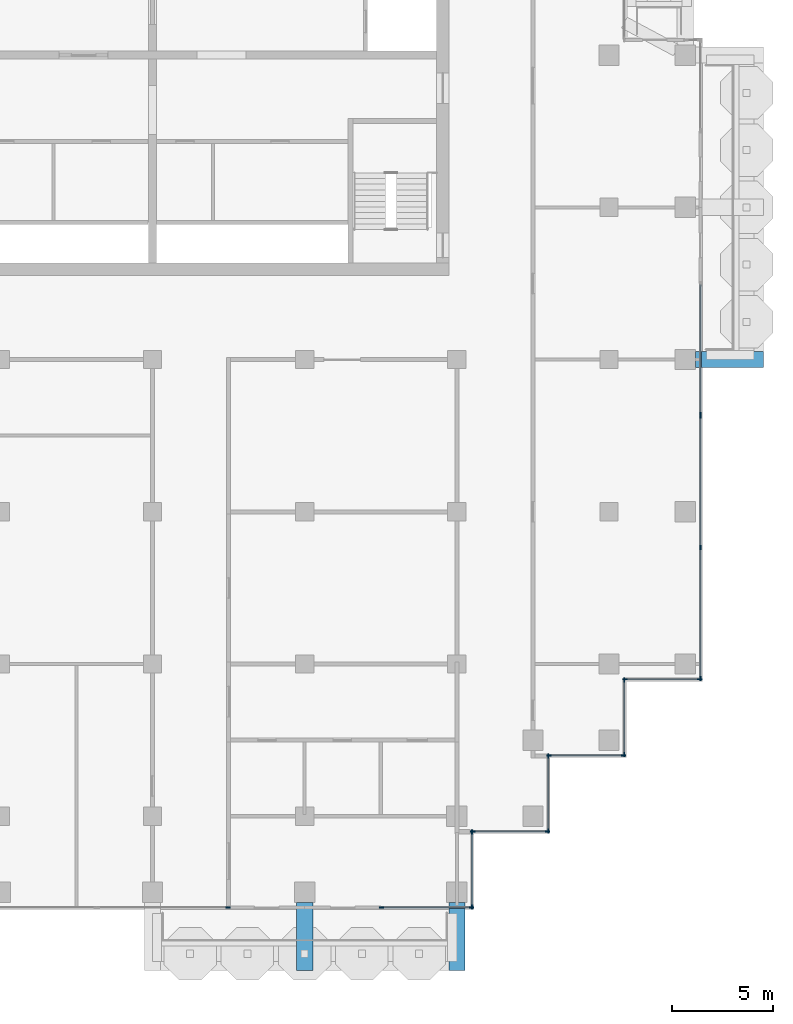
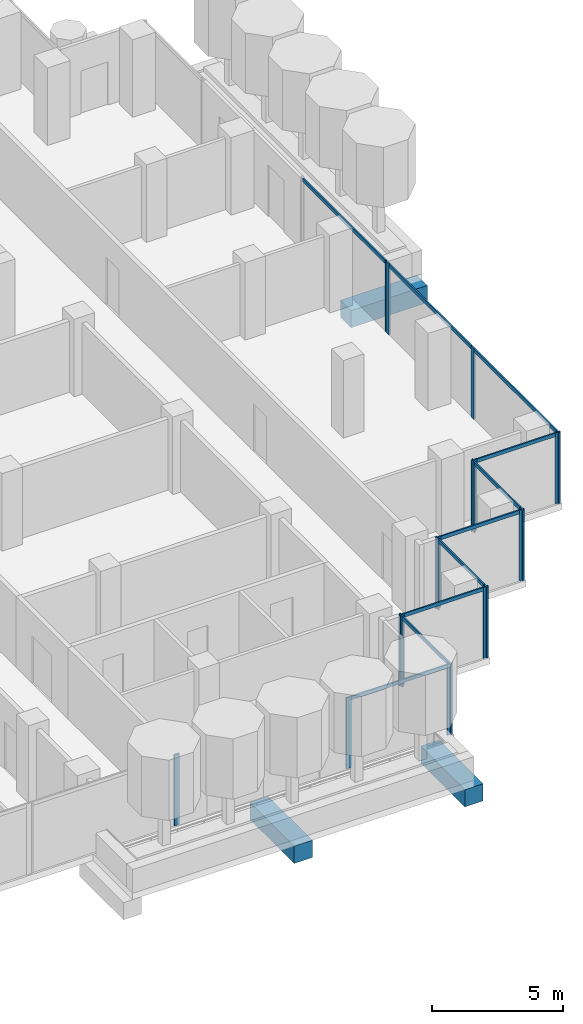
# One storey, part 4 of 18: 29 members, 3 beams, 10 elements without a shape of their own.
"""IFC4 building model written with IfcOpenShell, lengths in metres."""

from ifc_helpers import new_model, si_unit, direction, frame, origin, origin_2d, place, context, subcontext, project, spatial, rectangle, extrude, material, material_profile, profile_set, type_object, element, aggregate, save


model = new_model("IFC4")

# Units and contexts
model_context = context("Model", 3, precision=1e-05, world=origin(), true_north=direction((0.0, 1.0)))
body_context = subcontext(model_context, "Body", "Model", "MODEL_VIEW")
ifc_project = project(units=[si_unit("LENGTHUNIT", "METRE"), si_unit("AREAUNIT", "SQUARE_METRE"), si_unit("VOLUMEUNIT", "CUBIC_METRE"), si_unit("PLANEANGLEUNIT", "RADIAN"), si_unit("MASSUNIT", "GRAM", prefix="KILO")], contexts=[model_context])

# Site, building, storey
site_placement = place(None, origin())
site = spatial("IfcSite", under=ifc_project, at=site_placement, CompositionType="ELEMENT")
building_placement = place(site_placement, origin())
building = spatial("IfcBuilding", under=site, at=building_placement, Name="Pilkhan Gate Tower", CompositionType="ELEMENT")
storey_placement = place(building_placement, frame((0.0, 0.0, 195.89990234375)))
storey = spatial("IfcBuildingStorey", under=building, at=storey_placement, Name="L50", CompositionType="ELEMENT", Elevation=195.89990234375)

# Beams
ifc_material_1 = material(Name="Concrete C50/60", Category="concrete")
ifc_material_profile_1 = material_profile(ifc_material_1, rectangle(XDim=0.800048828125, YDim=0.800048828125, at=origin_2d()), Name="RC 800x800")
ifc_profile_set_1 = profile_set([ifc_material_profile_1], Name="Concrete C50/60")
beam_type = type_object("IfcBeamType", Name="Cantilever beam CB2 RC 800x800 C50/60", PredefinedType="BEAM", material=ifc_profile_set_1)
for number, where, z_axis, x_axis, name in (
    (1, (82.5, 40.75, -0.699951171875), (0.0, -1.0, 0.0), (1.0, 0.0, 0.0), "Balcony beam S.2 L50"),
    (2, (90.0, 40.75, -0.699951171875), (0.0, -1.0, 0.0), (1.0, 0.0, 0.0), "Balcony beam S.3 L50"),
    (3, (101.75, 67.5, -0.699951171875), (1.0, 0.0, 0.0), (0.0, 1.0, 0.0), "Balcony beam E.1 L50"),
):
    element("IfcBeam", number, at=place(storey_placement, frame(where, z_axis=z_axis, x_axis=x_axis)), inside=storey, type_object=beam_type, Name=name, PredefinedType="BEAM", context=body_context, shape_type="SweptSolid", body=[
        extrude(rectangle(XDim=0.800048828125, YDim=0.800048828125, at=origin_2d()), origin(), (0.0, 0.0, 1.0), 3.35009765625),
    ])

# Curtain wall, members
ifc_material_2 = material(Name="Pale anodised aluminium, clear low-iron double glazing", Category="aluminium")
curtain_wall_type = type_object("IfcCurtainWallType", Name="Office unitised curtain wall CW-O2", PredefinedType="USERDEFINED", material=ifc_material_2)
curtain_wall_1_placement = place(storey_placement, origin())
curtain_wall_1 = element("IfcCurtainWall", 4, at=curtain_wall_1_placement, inside=storey, type_object=curtain_wall_type, Name="Office unitised curtain wall CW-O2 L50 E", ObjectType="UNITISED CURTAIN WALL", PredefinedType="USERDEFINED")
ifc_material_3 = material(Name="Pale anodised aluminium", Category="aluminium")
ifc_material_profile_2 = material_profile(ifc_material_3, rectangle(XDim=0.06494140625, YDim=0.22509765625, at=origin_2d()), Name="Mullion 225x65")
ifc_profile_set_2 = profile_set([ifc_material_profile_2], Name="Pale anodised aluminium")
member_type_1 = type_object("IfcMemberType", Name="Mullion CW-O2 225x65", PredefinedType="MULLION", material=ifc_profile_set_2)
member_1_placement = place(storey_placement, frame((102.0, 51.782470703125, 0.0), z_axis=(0.0, 0.0, 1.0), x_axis=(-1.0, 0.0, 0.0)))
member_1 = element("IfcMember", 5, at=member_1_placement, type_object=member_type_1, Name="CW-O2 mullion 1", PredefinedType="MULLION", context=body_context, shape_type="SweptSolid", body=[
    extrude(rectangle(XDim=0.06494140625, YDim=0.22509765625, at=origin_2d()), origin(), (0.0, 0.0, 1.0), 3.300048828125),
])
member_2_placement = place(storey_placement, frame((102.0, 58.25, 0.0), z_axis=(0.0, 0.0, 1.0), x_axis=(-1.0, 0.0, 0.0)))
member_2 = element("IfcMember", 6, at=member_2_placement, type_object=member_type_1, Name="CW-O2 mullion 2", PredefinedType="MULLION", context=body_context, shape_type="SweptSolid", body=[
    extrude(rectangle(XDim=0.06494140625, YDim=0.22509765625, at=origin_2d()), origin(), (0.0, 0.0, 1.0), 3.300048828125),
])
member_3_placement = place(storey_placement, frame((102.0, 64.717529296875, 0.0), z_axis=(0.0, 0.0, 1.0), x_axis=(-1.0, 0.0, 0.0)))
member_3 = element("IfcMember", 7, at=member_3_placement, type_object=member_type_1, Name="CW-O2 mullion 3", PredefinedType="MULLION", context=body_context, shape_type="SweptSolid", body=[
    extrude(rectangle(XDim=0.06494140625, YDim=0.22509765625, at=origin_2d()), origin(), (0.0, 0.0, 1.0), 3.300048828125),
])

# Curtain wall, member
curtain_wall_2_placement = place(storey_placement, origin())
curtain_wall_2 = element("IfcCurtainWall", 8, at=curtain_wall_2_placement, inside=storey, type_object=curtain_wall_type, Name="Office unitised curtain wall CW-O2 L50 E", ObjectType="UNITISED CURTAIN WALL", PredefinedType="USERDEFINED")
member_4_placement = place(storey_placement, frame((102.0, 64.782470703125, 0.0), z_axis=(0.0, 0.0, 1.0), x_axis=(-1.0, 0.0, 0.0)))
member_4 = element("IfcMember", 9, at=member_4_placement, type_object=member_type_1, Name="CW-O2 mullion 1", PredefinedType="MULLION", context=body_context, shape_type="SweptSolid", body=[
    extrude(rectangle(XDim=0.06494140625, YDim=0.22509765625, at=origin_2d()), origin(), (0.0, 0.0, 1.0), 3.300048828125),
])

curtain_wall_3_placement = place(storey_placement, origin())
curtain_wall_3 = element("IfcCurtainWall", 10, at=curtain_wall_3_placement, inside=storey, type_object=curtain_wall_type, Name="Office unitised curtain wall CW-O2 L50 S", ObjectType="UNITISED CURTAIN WALL", PredefinedType="USERDEFINED")
member_5_placement = place(storey_placement, frame((78.717529296875, 40.5, 0.0), z_axis=(0.0, 0.0, 1.0), x_axis=(0.0, 1.0, 0.0)))
member_5 = element("IfcMember", 11, at=member_5_placement, type_object=member_type_1, Name="CW-O2 mullion 2", PredefinedType="MULLION", context=body_context, shape_type="SweptSolid", body=[
    extrude(rectangle(XDim=0.06494140625, YDim=0.22509765625, at=origin_2d()), origin(), (0.0, 0.0, 1.0), 3.300048828125),
])
aggregate(curtain_wall_3, [member_5])

# Curtain wall, members
curtain_wall_4_placement = place(storey_placement, origin())
curtain_wall_4 = element("IfcCurtainWall", 12, at=curtain_wall_4_placement, inside=storey, type_object=curtain_wall_type, Name="Office unitised curtain wall CW-O2 L50 S", ObjectType="UNITISED CURTAIN WALL", PredefinedType="USERDEFINED")
member_6_placement = place(storey_placement, frame((86.282470703125, 40.5, 0.0), z_axis=(0.0, 0.0, 1.0), x_axis=(0.0, 1.0, 0.0)))
member_6 = element("IfcMember", 13, at=member_6_placement, type_object=member_type_1, Name="CW-O2 mullion 1", PredefinedType="MULLION", context=body_context, shape_type="SweptSolid", body=[
    extrude(rectangle(XDim=0.06494140625, YDim=0.22509765625, at=origin_2d()), origin(), (0.0, 0.0, 1.0), 3.300048828125),
])
member_7_placement = place(storey_placement, frame((90.717529296875, 40.5, 0.0), z_axis=(0.0, 0.0, 1.0), x_axis=(0.0, 1.0, 0.0)))
member_7 = element("IfcMember", 14, at=member_7_placement, type_object=member_type_1, Name="CW-O2 mullion 2", PredefinedType="MULLION", context=body_context, shape_type="SweptSolid", body=[
    extrude(rectangle(XDim=0.06494140625, YDim=0.22509765625, at=origin_2d()), origin(), (0.0, 0.0, 1.0), 3.300048828125),
])

curtain_wall_5_placement = place(storey_placement, origin())
curtain_wall_5 = element("IfcCurtainWall", 15, at=curtain_wall_5_placement, inside=storey, type_object=curtain_wall_type, Name="Office unitised curtain wall CW-O2 L50 E", ObjectType="UNITISED CURTAIN WALL", PredefinedType="USERDEFINED")
member_8_placement = place(storey_placement, frame((90.75, 40.532470703125, 0.0), z_axis=(0.0, 0.0, 1.0), x_axis=(-1.0, 0.0, 0.0)))
member_8 = element("IfcMember", 16, at=member_8_placement, type_object=member_type_1, Name="CW-O2 mullion 1", PredefinedType="MULLION", context=body_context, shape_type="SweptSolid", body=[
    extrude(rectangle(XDim=0.06494140625, YDim=0.22509765625, at=origin_2d()), origin(), (0.0, 0.0, 1.0), 3.300048828125),
])
member_9_placement = place(storey_placement, frame((90.75, 44.217529296875, 0.0), z_axis=(0.0, 0.0, 1.0), x_axis=(-1.0, 0.0, 0.0)))
member_9 = element("IfcMember", 17, at=member_9_placement, type_object=member_type_1, Name="CW-O2 mullion 2", PredefinedType="MULLION", context=body_context, shape_type="SweptSolid", body=[
    extrude(rectangle(XDim=0.06494140625, YDim=0.22509765625, at=origin_2d()), origin(), (0.0, 0.0, 1.0), 3.300048828125),
])

curtain_wall_6_placement = place(storey_placement, origin())
curtain_wall_6 = element("IfcCurtainWall", 18, at=curtain_wall_6_placement, inside=storey, type_object=curtain_wall_type, Name="Office unitised curtain wall CW-O2 L50 S", ObjectType="UNITISED CURTAIN WALL", PredefinedType="USERDEFINED")
member_10_placement = place(storey_placement, frame((90.782470703125, 44.25, 0.0), z_axis=(0.0, 0.0, 1.0), x_axis=(0.0, 1.0, 0.0)))
member_10 = element("IfcMember", 19, at=member_10_placement, type_object=member_type_1, Name="CW-O2 mullion 1", PredefinedType="MULLION", context=body_context, shape_type="SweptSolid", body=[
    extrude(rectangle(XDim=0.06494140625, YDim=0.22509765625, at=origin_2d()), origin(), (0.0, 0.0, 1.0), 3.300048828125),
])
member_11_placement = place(storey_placement, frame((94.467529296875, 44.25, 0.0), z_axis=(0.0, 0.0, 1.0), x_axis=(0.0, 1.0, 0.0)))
member_11 = element("IfcMember", 20, at=member_11_placement, type_object=member_type_1, Name="CW-O2 mullion 2", PredefinedType="MULLION", context=body_context, shape_type="SweptSolid", body=[
    extrude(rectangle(XDim=0.06494140625, YDim=0.22509765625, at=origin_2d()), origin(), (0.0, 0.0, 1.0), 3.300048828125),
])

curtain_wall_7_placement = place(storey_placement, origin())
curtain_wall_7 = element("IfcCurtainWall", 21, at=curtain_wall_7_placement, inside=storey, type_object=curtain_wall_type, Name="Office unitised curtain wall CW-O2 L50 E", ObjectType="UNITISED CURTAIN WALL", PredefinedType="USERDEFINED")
member_12_placement = place(storey_placement, frame((94.5, 44.282470703125, 0.0), z_axis=(0.0, 0.0, 1.0), x_axis=(-1.0, 0.0, 0.0)))
member_12 = element("IfcMember", 22, at=member_12_placement, type_object=member_type_1, Name="CW-O2 mullion 1", PredefinedType="MULLION", context=body_context, shape_type="SweptSolid", body=[
    extrude(rectangle(XDim=0.06494140625, YDim=0.22509765625, at=origin_2d()), origin(), (0.0, 0.0, 1.0), 3.300048828125),
])
member_13_placement = place(storey_placement, frame((94.5, 47.967529296875, 0.0), z_axis=(0.0, 0.0, 1.0), x_axis=(-1.0, 0.0, 0.0)))
member_13 = element("IfcMember", 23, at=member_13_placement, type_object=member_type_1, Name="CW-O2 mullion 2", PredefinedType="MULLION", context=body_context, shape_type="SweptSolid", body=[
    extrude(rectangle(XDim=0.06494140625, YDim=0.22509765625, at=origin_2d()), origin(), (0.0, 0.0, 1.0), 3.300048828125),
])

curtain_wall_8_placement = place(storey_placement, origin())
curtain_wall_8 = element("IfcCurtainWall", 24, at=curtain_wall_8_placement, inside=storey, type_object=curtain_wall_type, Name="Office unitised curtain wall CW-O2 L50 S", ObjectType="UNITISED CURTAIN WALL", PredefinedType="USERDEFINED")
member_14_placement = place(storey_placement, frame((94.532470703125, 48.0, 0.0), z_axis=(0.0, 0.0, 1.0), x_axis=(0.0, 1.0, 0.0)))
member_14 = element("IfcMember", 25, at=member_14_placement, type_object=member_type_1, Name="CW-O2 mullion 1", PredefinedType="MULLION", context=body_context, shape_type="SweptSolid", body=[
    extrude(rectangle(XDim=0.06494140625, YDim=0.22509765625, at=origin_2d()), origin(), (0.0, 0.0, 1.0), 3.300048828125),
])
member_15_placement = place(storey_placement, frame((98.217529296875, 48.0, 0.0), z_axis=(0.0, 0.0, 1.0), x_axis=(0.0, 1.0, 0.0)))
member_15 = element("IfcMember", 26, at=member_15_placement, type_object=member_type_1, Name="CW-O2 mullion 2", PredefinedType="MULLION", context=body_context, shape_type="SweptSolid", body=[
    extrude(rectangle(XDim=0.06494140625, YDim=0.22509765625, at=origin_2d()), origin(), (0.0, 0.0, 1.0), 3.300048828125),
])

curtain_wall_9_placement = place(storey_placement, origin())
curtain_wall_9 = element("IfcCurtainWall", 27, at=curtain_wall_9_placement, inside=storey, type_object=curtain_wall_type, Name="Office unitised curtain wall CW-O2 L50 E", ObjectType="UNITISED CURTAIN WALL", PredefinedType="USERDEFINED")
member_16_placement = place(storey_placement, frame((98.25, 48.032470703125, 0.0), z_axis=(0.0, 0.0, 1.0), x_axis=(-1.0, 0.0, 0.0)))
member_16 = element("IfcMember", 28, at=member_16_placement, type_object=member_type_1, Name="CW-O2 mullion 1", PredefinedType="MULLION", context=body_context, shape_type="SweptSolid", body=[
    extrude(rectangle(XDim=0.06494140625, YDim=0.22509765625, at=origin_2d()), origin(), (0.0, 0.0, 1.0), 3.300048828125),
])
member_17_placement = place(storey_placement, frame((98.25, 51.717529296875, 0.0), z_axis=(0.0, 0.0, 1.0), x_axis=(-1.0, 0.0, 0.0)))
member_17 = element("IfcMember", 29, at=member_17_placement, type_object=member_type_1, Name="CW-O2 mullion 2", PredefinedType="MULLION", context=body_context, shape_type="SweptSolid", body=[
    extrude(rectangle(XDim=0.06494140625, YDim=0.22509765625, at=origin_2d()), origin(), (0.0, 0.0, 1.0), 3.300048828125),
])

curtain_wall_10_placement = place(storey_placement, origin())
curtain_wall_10 = element("IfcCurtainWall", 30, at=curtain_wall_10_placement, inside=storey, type_object=curtain_wall_type, Name="Office unitised curtain wall CW-O2 L50 S", ObjectType="UNITISED CURTAIN WALL", PredefinedType="USERDEFINED")
member_18_placement = place(storey_placement, frame((98.282470703125, 51.75, 0.0), z_axis=(0.0, 0.0, 1.0), x_axis=(0.0, 1.0, 0.0)))
member_18 = element("IfcMember", 31, at=member_18_placement, type_object=member_type_1, Name="CW-O2 mullion 1", PredefinedType="MULLION", context=body_context, shape_type="SweptSolid", body=[
    extrude(rectangle(XDim=0.06494140625, YDim=0.22509765625, at=origin_2d()), origin(), (0.0, 0.0, 1.0), 3.300048828125),
])
member_19_placement = place(storey_placement, frame((101.967529296875, 51.75, 0.0), z_axis=(0.0, 0.0, 1.0), x_axis=(0.0, 1.0, 0.0)))
member_19 = element("IfcMember", 32, at=member_19_placement, type_object=member_type_1, Name="CW-O2 mullion 2", PredefinedType="MULLION", context=body_context, shape_type="SweptSolid", body=[
    extrude(rectangle(XDim=0.06494140625, YDim=0.22509765625, at=origin_2d()), origin(), (0.0, 0.0, 1.0), 3.300048828125),
])

# Member
ifc_material_profile_3 = material_profile(ifc_material_3, rectangle(XDim=0.06494140625, YDim=0.1650390625, at=origin_2d()), Name="Transom 165x65")
ifc_profile_set_3 = profile_set([ifc_material_profile_3], Name="Pale anodised aluminium")
member_type_2 = type_object("IfcMemberType", Name="Transom CW-O2 165x65", PredefinedType="USERDEFINED", material=ifc_profile_set_3)
member_20_placement = place(storey_placement, frame((102.0, 51.81494140625, 3.217529296875), z_axis=(0.0, 1.0, 0.0), x_axis=(-1.0, 0.0, 0.0)))
member_20 = element("IfcMember", 33, at=member_20_placement, type_object=member_type_2, Name="CW-O2 transom 1", ObjectType="TRANSOM", PredefinedType="USERDEFINED", context=body_context, shape_type="SweptSolid", body=[
    extrude(rectangle(XDim=0.06494140625, YDim=0.1650390625, at=origin_2d()), origin(), (0.0, 0.0, 1.0), 6.402587890625),
])

member_21_placement = place(storey_placement, frame((102.0, 58.282470703125, 3.217529296875), z_axis=(0.0, 1.0, 0.0), x_axis=(-1.0, 0.0, 0.0)))
member_21 = element("IfcMember", 34, at=member_21_placement, type_object=member_type_2, Name="CW-O2 transom 2", ObjectType="TRANSOM", PredefinedType="USERDEFINED", context=body_context, shape_type="SweptSolid", body=[
    extrude(rectangle(XDim=0.06494140625, YDim=0.1650390625, at=origin_2d()), origin(), (0.0, 0.0, 1.0), 6.402587890625),
])

aggregate(curtain_wall_1, [member_1, member_2, member_3, member_20, member_21])

member_22_placement = place(storey_placement, frame((102.0, 64.81494140625, 3.217529296875), z_axis=(0.0, 1.0, 0.0), x_axis=(-1.0, 0.0, 0.0)))
member_22 = element("IfcMember", 35, at=member_22_placement, type_object=member_type_2, Name="CW-O2 transom 1", ObjectType="TRANSOM", PredefinedType="USERDEFINED", context=body_context, shape_type="SweptSolid", body=[
    extrude(rectangle(XDim=0.06494140625, YDim=0.1650390625, at=origin_2d()), origin(), (0.0, 0.0, 1.0), 6.3701171875),
])

aggregate(curtain_wall_2, [member_4, member_22])

member_23_placement = place(storey_placement, frame((86.31494140625, 40.5, 3.217529296875), z_axis=(1.0, 0.0, 0.0), x_axis=(0.0, 1.0, 0.0)))
member_23 = element("IfcMember", 36, at=member_23_placement, type_object=member_type_2, Name="CW-O2 transom 1", ObjectType="TRANSOM", PredefinedType="USERDEFINED", context=body_context, shape_type="SweptSolid", body=[
    extrude(rectangle(XDim=0.06494140625, YDim=0.1650390625, at=origin_2d()), origin(), (0.0, 0.0, 1.0), 4.3701171875),
])

aggregate(curtain_wall_4, [member_6, member_7, member_23])

member_24_placement = place(storey_placement, frame((90.75, 40.56494140625, 3.217529296875), z_axis=(0.0, 1.0, 0.0), x_axis=(-1.0, 0.0, 0.0)))
member_24 = element("IfcMember", 37, at=member_24_placement, type_object=member_type_2, Name="CW-O2 transom 1", ObjectType="TRANSOM", PredefinedType="USERDEFINED", context=body_context, shape_type="SweptSolid", body=[
    extrude(rectangle(XDim=0.06494140625, YDim=0.1650390625, at=origin_2d()), origin(), (0.0, 0.0, 1.0), 3.6201171875),
])

aggregate(curtain_wall_5, [member_8, member_9, member_24])

member_25_placement = place(storey_placement, frame((90.81494140625, 44.25, 3.217529296875), z_axis=(1.0, 0.0, 0.0), x_axis=(0.0, 1.0, 0.0)))
member_25 = element("IfcMember", 38, at=member_25_placement, type_object=member_type_2, Name="CW-O2 transom 1", ObjectType="TRANSOM", PredefinedType="USERDEFINED", context=body_context, shape_type="SweptSolid", body=[
    extrude(rectangle(XDim=0.06494140625, YDim=0.1650390625, at=origin_2d()), origin(), (0.0, 0.0, 1.0), 3.6201171875),
])

aggregate(curtain_wall_6, [member_10, member_11, member_25])

member_26_placement = place(storey_placement, frame((94.5, 44.31494140625, 3.217529296875), z_axis=(0.0, 1.0, 0.0), x_axis=(-1.0, 0.0, 0.0)))
member_26 = element("IfcMember", 39, at=member_26_placement, type_object=member_type_2, Name="CW-O2 transom 1", ObjectType="TRANSOM", PredefinedType="USERDEFINED", context=body_context, shape_type="SweptSolid", body=[
    extrude(rectangle(XDim=0.06494140625, YDim=0.1650390625, at=origin_2d()), origin(), (0.0, 0.0, 1.0), 3.6201171875),
])

aggregate(curtain_wall_7, [member_12, member_13, member_26])

member_27_placement = place(storey_placement, frame((94.56494140625, 48.0, 3.217529296875), z_axis=(1.0, 0.0, 0.0), x_axis=(0.0, 1.0, 0.0)))
member_27 = element("IfcMember", 40, at=member_27_placement, type_object=member_type_2, Name="CW-O2 transom 1", ObjectType="TRANSOM", PredefinedType="USERDEFINED", context=body_context, shape_type="SweptSolid", body=[
    extrude(rectangle(XDim=0.06494140625, YDim=0.1650390625, at=origin_2d()), origin(), (0.0, 0.0, 1.0), 3.6201171875),
])

aggregate(curtain_wall_8, [member_14, member_15, member_27])

member_28_placement = place(storey_placement, frame((98.25, 48.06494140625, 3.217529296875), z_axis=(0.0, 1.0, 0.0), x_axis=(-1.0, 0.0, 0.0)))
member_28 = element("IfcMember", 41, at=member_28_placement, type_object=member_type_2, Name="CW-O2 transom 1", ObjectType="TRANSOM", PredefinedType="USERDEFINED", context=body_context, shape_type="SweptSolid", body=[
    extrude(rectangle(XDim=0.06494140625, YDim=0.1650390625, at=origin_2d()), origin(), (0.0, 0.0, 1.0), 3.6201171875),
])

aggregate(curtain_wall_9, [member_16, member_17, member_28])

member_29_placement = place(storey_placement, frame((98.31494140625, 51.75, 3.217529296875), z_axis=(1.0, 0.0, 0.0), x_axis=(0.0, 1.0, 0.0)))
member_29 = element("IfcMember", 42, at=member_29_placement, type_object=member_type_2, Name="CW-O2 transom 1", ObjectType="TRANSOM", PredefinedType="USERDEFINED", context=body_context, shape_type="SweptSolid", body=[
    extrude(rectangle(XDim=0.06494140625, YDim=0.1650390625, at=origin_2d()), origin(), (0.0, 0.0, 1.0), 3.6201171875),
])

aggregate(curtain_wall_10, [member_18, member_19, member_29])

save(model, "model.ifc")
